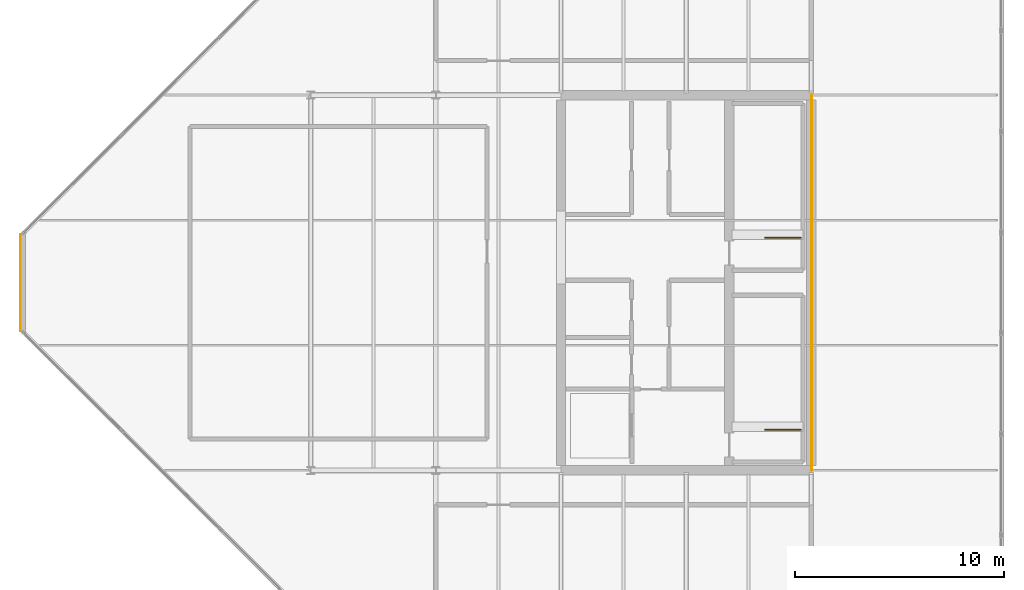
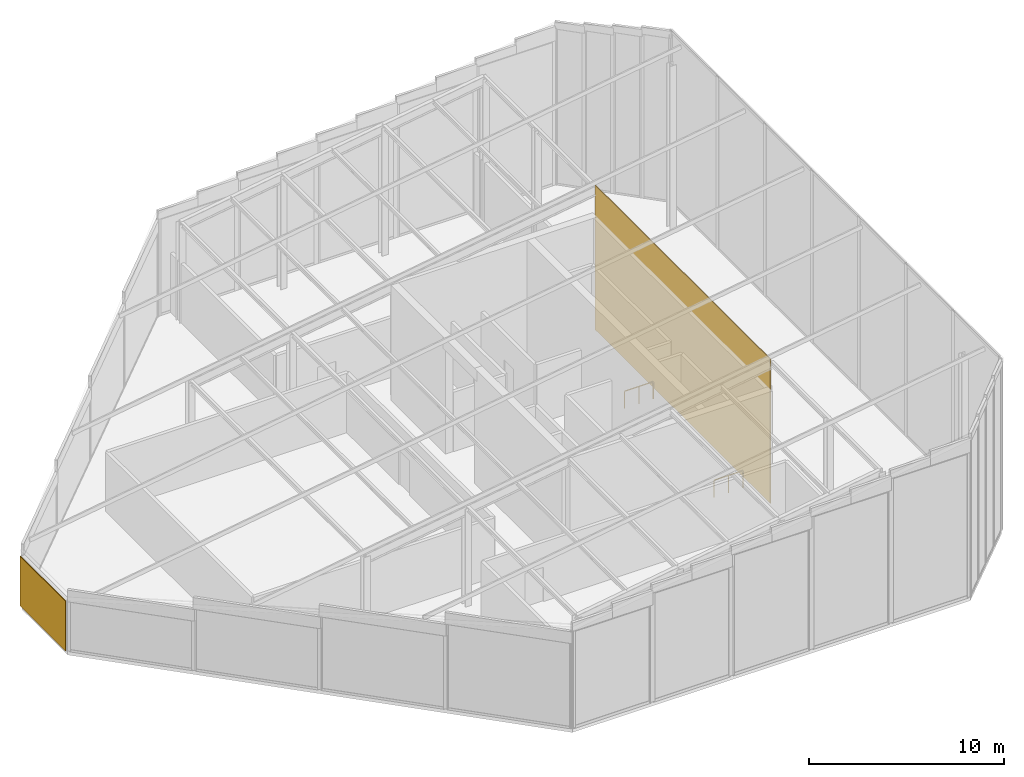
# One storey, part 30 of 30: 2 coverings, 2 railings.
"""IFC4 building model written with IfcOpenShell, lengths in metres."""

from ifc_helpers import new_model, si_unit, direction, frame, origin, origin_2d, place, context, subcontext, project, spatial, rectangle, extrude, material, layer, layer_set, type_object, element, save


model = new_model("IFC4")

# Units and contexts
model_context = context("Model", 3, precision=1e-05, world=origin(), true_north=direction((0.0, 1.0)))
body_context = subcontext(model_context, "Body", "Model", "MODEL_VIEW")
ifc_project = project(units=[si_unit("LENGTHUNIT", "METRE"), si_unit("AREAUNIT", "SQUARE_METRE"), si_unit("VOLUMEUNIT", "CUBIC_METRE"), si_unit("PLANEANGLEUNIT", "RADIAN"), si_unit("MASSUNIT", "GRAM", prefix="KILO")], contexts=[model_context])

# Site, building, storey
site_placement = place(None, origin())
site = spatial("IfcSite", under=ifc_project, at=site_placement, CompositionType="ELEMENT")
building_placement = place(site_placement, origin())
building = spatial("IfcBuilding", under=site, at=building_placement, Name="Tanjung Sevakor Pilgrim Tower", CompositionType="ELEMENT")
storey_placement = place(building_placement, frame((0.0, 0.0, 287.760009765625)))
storey = spatial("IfcBuildingStorey", under=building, at=storey_placement, Name="L80", CompositionType="ELEMENT", Elevation=287.760009765625)

# Coverings
ifc_material_1 = material(Name="Reconstructed Limestone Cladding", Category="masonry")
ifc_layer = layer(ifc_material_1, 0.044921875)
ifc_layer_set = layer_set([ifc_layer], Name="COV-CLAD-LIMESTONE")
covering_type = type_object("IfcCoveringType", Name="COV-CLAD-LIMESTONE", PredefinedType="CLADDING", material=ifc_layer_set)
covering_1_placement = place(storey_placement, frame((52.077392578125, 33.60009765625, 0.02001953125), z_axis=(0.0, 0.0, 1.0), x_axis=(0.0, -1.0, 0.0)))
element("IfcCovering", 1, at=covering_1_placement, inside=storey, type_object=covering_type, Name="L80 Warm Limestone Wall Cladding EW-L80-EAST-7", PredefinedType="CLADDING", context=body_context, shape_type="SweptSolid", body=[
    extrude(rectangle(XDim=4.668701171875, YDim=0.044921875, at=origin_2d()), origin(), (0.0, 0.0, 1.0), 3.1171875),
])
covering_2_placement = place(storey_placement, frame((90.0224609375, 33.60009765625, 0.02001953125), z_axis=(0.0, 0.0, 1.0), x_axis=(1.0, 0.0, 0.0)))
element("IfcCovering", 2, at=covering_2_placement, inside=storey, type_object=covering_type, Name="L80 Expressed Core Warm Limestone Cladding E", PredefinedType="CLADDING", context=body_context, shape_type="SweptSolid", body=[
    extrude(rectangle(XDim=0.044921875, YDim=18.0, at=origin_2d()), origin(), (0.0, 0.0, 1.0), 9.0546875),
])

# Railings
ifc_material_2 = material(Name="Steel S355J2", Category="steel")
railing_type = type_object("IfcRailingType", Name="RL-STAIR-GUARD", PredefinedType="GUARDRAIL", material=ifc_material_2)
for number, where, name in (
    (3, (89.5, 26.550048828125, 0.0), "L80 TS-E1 top well guard 1"),
    (4, (89.5, 35.75, 0.0), "L80 TS-E2 top well guard 1"),
):
    element("IfcRailing", number, at=place(storey_placement, frame(where)), inside=storey, type_object=railing_type, Name=name, PredefinedType="GUARDRAIL", context=body_context, shape_type="SweptSolid", body=[
        extrude(rectangle(XDim=0.0479, YDim=0.0479), frame((0.0, 0.0, 1.076171875), z_axis=(-1.0, 0.0, 0.0), x_axis=(0.0, -1.0, 0.0)), (0.0, 0.0, 1.0), 1.699951171875),
        extrude(rectangle(XDim=0.042, YDim=0.042), origin(), (0.0, 0.0, 1.0), 1.052001953125),
        extrude(rectangle(XDim=0.042, YDim=0.042), frame((-0.85009765625, 0.0, 0.0)), (0.0, 0.0, 1.0), 1.052001953125),
        extrude(rectangle(XDim=0.042, YDim=0.042), frame((-1.699951171875, 0.0, 0.0)), (0.0, 0.0, 1.0), 1.052001953125),
    ])

save(model, "model.ifc")
